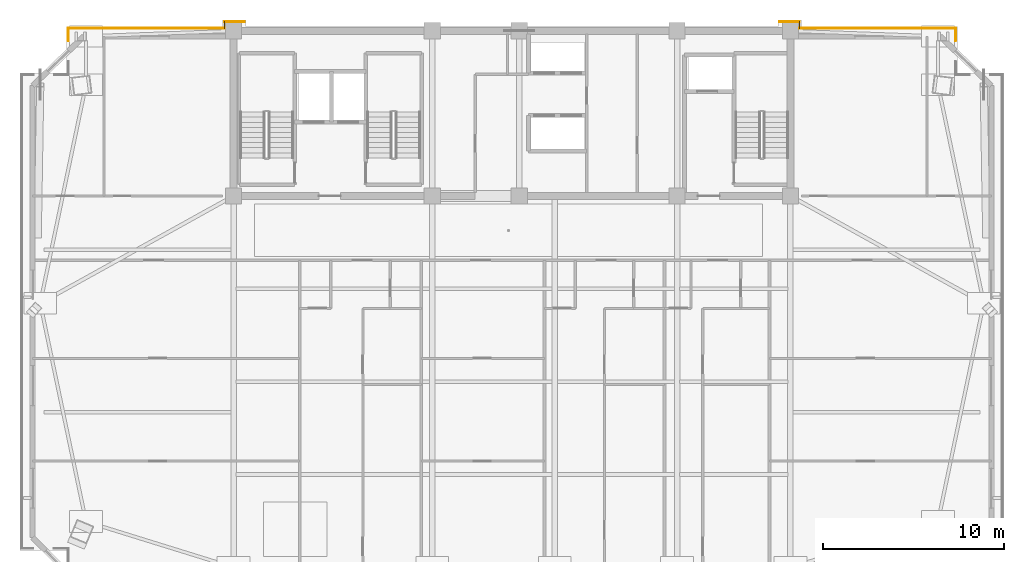
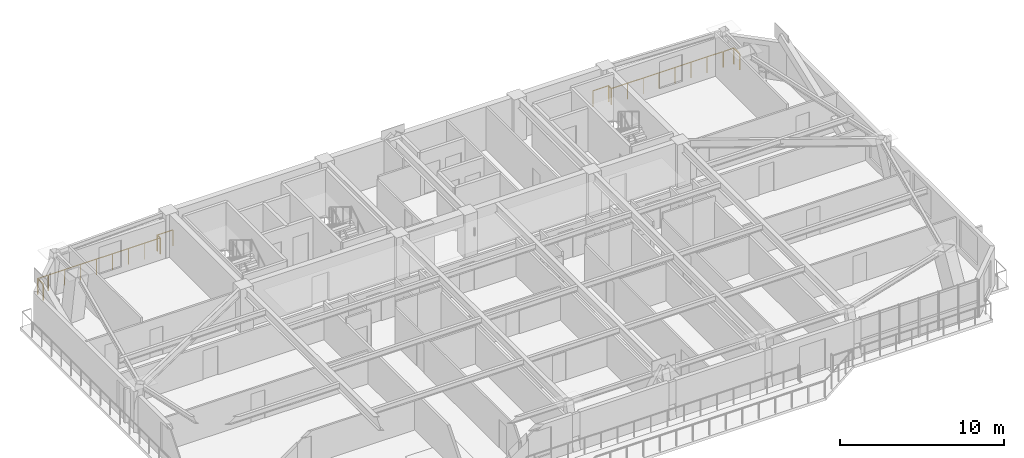
# One storey, part 18 of 18: 10 railings.
"""IFC4 building model written with IfcOpenShell, lengths in metres."""

from ifc_helpers import new_model, si_unit, direction, frame, origin, origin_2d, place, context, subcontext, project, spatial, rectangle, extrude, material, type_object, element, save


model = new_model("IFC4")

# Units and contexts
model_context = context("Model", 3, precision=1e-05, world=origin(), true_north=direction((0.0, 1.0)))
body_context = subcontext(model_context, "Body", "Model", "MODEL_VIEW")
ifc_project = project(units=[si_unit("LENGTHUNIT", "METRE"), si_unit("AREAUNIT", "SQUARE_METRE"), si_unit("VOLUMEUNIT", "CUBIC_METRE"), si_unit("PLANEANGLEUNIT", "RADIAN"), si_unit("MASSUNIT", "GRAM", prefix="KILO")], contexts=[model_context])

# Site, building, storey
site_placement = place(None, origin())
site = spatial("IfcSite", under=ifc_project, at=site_placement, CompositionType="ELEMENT")
building_placement = place(site_placement, origin())
building = spatial("IfcBuilding", under=site, at=building_placement, Name="Giltprow Tower", CompositionType="ELEMENT")
storey_placement = place(building_placement, frame((0.0, 0.0, 265.5)))
storey = spatial("IfcBuildingStorey", under=building, at=storey_placement, Name="L68", CompositionType="ELEMENT", Elevation=265.5)

# Railings
ifc_material = material(Name="Anodized bronze", Category="metal")
railing_type = type_object("IfcRailingType", Name="RAIL-BALC-GUARD-1200", PredefinedType="BALUSTRADE", material=ifc_material)
railing_1_placement = place(storey_placement, frame((10.748046875, 46.0, 0.0)))
element("IfcRailing", 1, at=railing_1_placement, inside=storey, type_object=railing_type, Name="L68 Corner Apron Edge Balustrade 21", PredefinedType="BALUSTRADE", context=body_context, shape_type="SweptSolid", body=[
    extrude(rectangle(XDim=0.048095703125, YDim=0.048095703125, at=origin_2d()), frame((0.0, 0.0, 1.17578125), z_axis=(0.0, 1.0, 0.0), x_axis=(-1.0, 0.0, 0.0)), (0.0, 0.0, 1.0), 0.698974609375),
    extrude(rectangle(XDim=0.0419921875, YDim=0.0419921875, at=origin_2d()), origin(), (0.0, 0.0, 1.0), 1.15185546875),
    extrude(rectangle(XDim=0.0419921875, YDim=0.0419921875, at=origin_2d()), frame((0.0, 0.698974609375, 0.0)), (0.0, 0.0, 1.0), 1.15185546875),
])
railing_2_placement = place(storey_placement, frame((10.748046875, 46.698974609375, 0.0)))
element("IfcRailing", 2, at=railing_2_placement, inside=storey, type_object=railing_type, Name="L68 Corner Apron Edge Balustrade 22", PredefinedType="BALUSTRADE", context=body_context, shape_type="SweptSolid", body=[
    extrude(rectangle(XDim=0.048095703125, YDim=0.048095703125, at=origin_2d()), frame((0.0, 0.0, 1.17578125), z_axis=(1.0, 0.0, 0.0), x_axis=(0.0, 1.0, 0.0)), (0.0, 0.0, 1.0), 0.724853515625),
    extrude(rectangle(XDim=0.0419921875, YDim=0.0419921875, at=origin_2d()), origin(), (0.0, 0.0, 1.0), 1.15185546875),
    extrude(rectangle(XDim=0.0419921875, YDim=0.0419921875, at=origin_2d()), frame((0.724853515625, 0.0, 0.0)), (0.0, 0.0, 1.0), 1.15185546875),
])
railing_3_placement = place(storey_placement, frame((11.52587890625, 46.698974609375, 0.0)))
element("IfcRailing", 3, at=railing_3_placement, inside=storey, type_object=railing_type, Name="L68 Corner Apron Edge Balustrade 23", PredefinedType="BALUSTRADE", context=body_context, shape_type="SweptSolid", body=[
    extrude(rectangle(XDim=0.048095703125, YDim=0.048095703125, at=origin_2d()), frame((0.0, 0.0, 1.17578125), z_axis=(1.0, 0.0, 0.0), x_axis=(0.0, 1.0, 0.0)), (0.0, 0.0, 1.0), 7.82421875),
    extrude(rectangle(XDim=0.0419921875, YDim=0.0419921875, at=origin_2d()), origin(), (0.0, 0.0, 1.0), 1.15185546875),
    extrude(rectangle(XDim=0.0419921875, YDim=0.0419921875, at=origin_2d()), frame((1.11767578125, 0.0, 0.0)), (0.0, 0.0, 1.0), 1.15185546875),
    extrude(rectangle(XDim=0.0419921875, YDim=0.0419921875, at=origin_2d()), frame((2.235595703125, 0.0, 0.0)), (0.0, 0.0, 1.0), 1.15185546875),
    extrude(rectangle(XDim=0.0419921875, YDim=0.0419921875, at=origin_2d()), frame((3.353271484375, 0.0, 0.0)), (0.0, 0.0, 1.0), 1.15185546875),
    extrude(rectangle(XDim=0.0419921875, YDim=0.0419921875, at=origin_2d()), frame((4.470947265625, 0.0, 0.0)), (0.0, 0.0, 1.0), 1.15185546875),
    extrude(rectangle(XDim=0.0419921875, YDim=0.0419921875, at=origin_2d()), frame((5.588623046875, 0.0, 0.0)), (0.0, 0.0, 1.0), 1.15185546875),
    extrude(rectangle(XDim=0.0419921875, YDim=0.0419921875, at=origin_2d()), frame((6.70654296875, 0.0, 0.0)), (0.0, 0.0, 1.0), 1.15185546875),
    extrude(rectangle(XDim=0.0419921875, YDim=0.0419921875, at=origin_2d()), frame((7.82421875, 0.0, 0.0)), (0.0, 0.0, 1.0), 1.15185546875),
])
railing_4_placement = place(storey_placement, frame((19.35009765625, 46.698974609375, 0.0)))
element("IfcRailing", 4, at=railing_4_placement, inside=storey, type_object=railing_type, Name="L68 Corner Apron Edge Balustrade 24", PredefinedType="BALUSTRADE", context=body_context, shape_type="SweptSolid", body=[
    extrude(rectangle(XDim=0.048095703125, YDim=0.048095703125, at=origin_2d()), frame((0.0, 0.0, 1.17578125), z_axis=(0.0, 1.0, 0.0), x_axis=(-1.0, 0.0, 0.0)), (0.0, 0.0, 1.0), 0.35107421875),
    extrude(rectangle(XDim=0.0419921875, YDim=0.0419921875, at=origin_2d()), origin(), (0.0, 0.0, 1.0), 1.15185546875),
    extrude(rectangle(XDim=0.0419921875, YDim=0.0419921875, at=origin_2d()), frame((0.0, 0.35107421875, 0.0)), (0.0, 0.0, 1.0), 1.15185546875),
])
railing_5_placement = place(storey_placement, frame((19.35009765625, 47.050048828125, 0.0)))
element("IfcRailing", 5, at=railing_5_placement, inside=storey, type_object=railing_type, Name="L68 Corner Apron Edge Balustrade 25", PredefinedType="BALUSTRADE", context=body_context, shape_type="SweptSolid", body=[
    extrude(rectangle(XDim=0.048095703125, YDim=0.048095703125, at=origin_2d()), frame((0.0, 0.0, 1.17578125), z_axis=(1.0, 0.0, 0.0), x_axis=(0.0, 1.0, 0.0)), (0.0, 0.0, 1.0), 1.099853515625),
    extrude(rectangle(XDim=0.0419921875, YDim=0.0419921875, at=origin_2d()), origin(), (0.0, 0.0, 1.0), 1.15185546875),
    extrude(rectangle(XDim=0.0419921875, YDim=0.0419921875, at=origin_2d()), frame((1.099853515625, 0.0, 0.0)), (0.0, 0.0, 1.0), 1.15185546875),
])
railing_6_placement = place(storey_placement, frame((49.949951171875, 47.050048828125, 0.0)))
element("IfcRailing", 6, at=railing_6_placement, inside=storey, type_object=railing_type, Name="L68 Corner Apron Edge Balustrade 26", PredefinedType="BALUSTRADE", context=body_context, shape_type="SweptSolid", body=[
    extrude(rectangle(XDim=0.048095703125, YDim=0.048095703125, at=origin_2d()), frame((0.0, 0.0, 1.17578125), z_axis=(1.0, 0.0, 0.0), x_axis=(0.0, 1.0, 0.0)), (0.0, 0.0, 1.0), 1.10009765625),
    extrude(rectangle(XDim=0.0419921875, YDim=0.0419921875, at=origin_2d()), origin(), (0.0, 0.0, 1.0), 1.15185546875),
    extrude(rectangle(XDim=0.0419921875, YDim=0.0419921875, at=origin_2d()), frame((1.10009765625, 0.0, 0.0)), (0.0, 0.0, 1.0), 1.15185546875),
])
railing_7_placement = place(storey_placement, frame((51.050048828125, 47.050048828125, 0.0)))
element("IfcRailing", 7, at=railing_7_placement, inside=storey, type_object=railing_type, Name="L68 Corner Apron Edge Balustrade 27", PredefinedType="BALUSTRADE", context=body_context, shape_type="SweptSolid", body=[
    extrude(rectangle(XDim=0.048095703125, YDim=0.048095703125, at=origin_2d()), frame((0.0, 0.0, 1.17578125), z_axis=(0.0, -1.0, 0.0), x_axis=(1.0, 0.0, 0.0)), (0.0, 0.0, 1.0), 0.35107421875),
    extrude(rectangle(XDim=0.0419921875, YDim=0.0419921875, at=origin_2d()), origin(), (0.0, 0.0, 1.0), 1.15185546875),
    extrude(rectangle(XDim=0.0419921875, YDim=0.0419921875, at=origin_2d()), frame((0.0, -0.35107421875, 0.0)), (0.0, 0.0, 1.0), 1.15185546875),
])
railing_8_placement = place(storey_placement, frame((51.050048828125, 46.698974609375, 0.0)))
element("IfcRailing", 8, at=railing_8_placement, inside=storey, type_object=railing_type, Name="L68 Corner Apron Edge Balustrade 28", PredefinedType="BALUSTRADE", context=body_context, shape_type="SweptSolid", body=[
    extrude(rectangle(XDim=0.048095703125, YDim=0.048095703125, at=origin_2d()), frame((0.0, 0.0, 1.17578125), z_axis=(1.0, 0.0, 0.0), x_axis=(0.0, 1.0, 0.0)), (0.0, 0.0, 1.0), 7.824951171875),
    extrude(rectangle(XDim=0.0419921875, YDim=0.0419921875, at=origin_2d()), origin(), (0.0, 0.0, 1.0), 1.15185546875),
    extrude(rectangle(XDim=0.0419921875, YDim=0.0419921875, at=origin_2d()), frame((1.117919921875, 0.0, 0.0)), (0.0, 0.0, 1.0), 1.15185546875),
    extrude(rectangle(XDim=0.0419921875, YDim=0.0419921875, at=origin_2d()), frame((2.235595703125, 0.0, 0.0)), (0.0, 0.0, 1.0), 1.15185546875),
    extrude(rectangle(XDim=0.0419921875, YDim=0.0419921875, at=origin_2d()), frame((3.353515625, 0.0, 0.0)), (0.0, 0.0, 1.0), 1.15185546875),
    extrude(rectangle(XDim=0.0419921875, YDim=0.0419921875, at=origin_2d()), frame((4.471435546875, 0.0, 0.0)), (0.0, 0.0, 1.0), 1.15185546875),
    extrude(rectangle(XDim=0.0419921875, YDim=0.0419921875, at=origin_2d()), frame((5.58935546875, 0.0, 0.0)), (0.0, 0.0, 1.0), 1.15185546875),
    extrude(rectangle(XDim=0.0419921875, YDim=0.0419921875, at=origin_2d()), frame((6.70703125, 0.0, 0.0)), (0.0, 0.0, 1.0), 1.15185546875),
    extrude(rectangle(XDim=0.0419921875, YDim=0.0419921875, at=origin_2d()), frame((7.824951171875, 0.0, 0.0)), (0.0, 0.0, 1.0), 1.15185546875),
])
railing_9_placement = place(storey_placement, frame((58.927978515625, 46.698974609375, 0.0)))
element("IfcRailing", 9, at=railing_9_placement, inside=storey, type_object=railing_type, Name="L68 Corner Apron Edge Balustrade 29", PredefinedType="BALUSTRADE", context=body_context, shape_type="SweptSolid", body=[
    extrude(rectangle(XDim=0.048095703125, YDim=0.048095703125, at=origin_2d()), frame((0.0, 0.0, 1.17578125), z_axis=(1.0, 0.0, 0.0), x_axis=(0.0, 1.0, 0.0)), (0.0, 0.0, 1.0), 0.72412109375),
    extrude(rectangle(XDim=0.0419921875, YDim=0.0419921875, at=origin_2d()), origin(), (0.0, 0.0, 1.0), 1.15185546875),
    extrude(rectangle(XDim=0.0419921875, YDim=0.0419921875, at=origin_2d()), frame((0.72412109375, 0.0, 0.0)), (0.0, 0.0, 1.0), 1.15185546875),
])
railing_10_placement = place(storey_placement, frame((59.652099609375, 46.698974609375, 0.0)))
element("IfcRailing", 10, at=railing_10_placement, inside=storey, type_object=railing_type, Name="L68 Corner Apron Edge Balustrade 30", PredefinedType="BALUSTRADE", context=body_context, shape_type="SweptSolid", body=[
    extrude(rectangle(XDim=0.048095703125, YDim=0.048095703125, at=origin_2d()), frame((0.0, 0.0, 1.17578125), z_axis=(0.0, -1.0, 0.0), x_axis=(1.0, 0.0, 0.0)), (0.0, 0.0, 1.0), 0.697998046875),
    extrude(rectangle(XDim=0.0419921875, YDim=0.0419921875, at=origin_2d()), origin(), (0.0, 0.0, 1.0), 1.15185546875),
    extrude(rectangle(XDim=0.0419921875, YDim=0.0419921875, at=origin_2d()), frame((0.0, -0.697998046875, 0.0)), (0.0, 0.0, 1.0), 1.15185546875),
])

save(model, "model.ifc")
